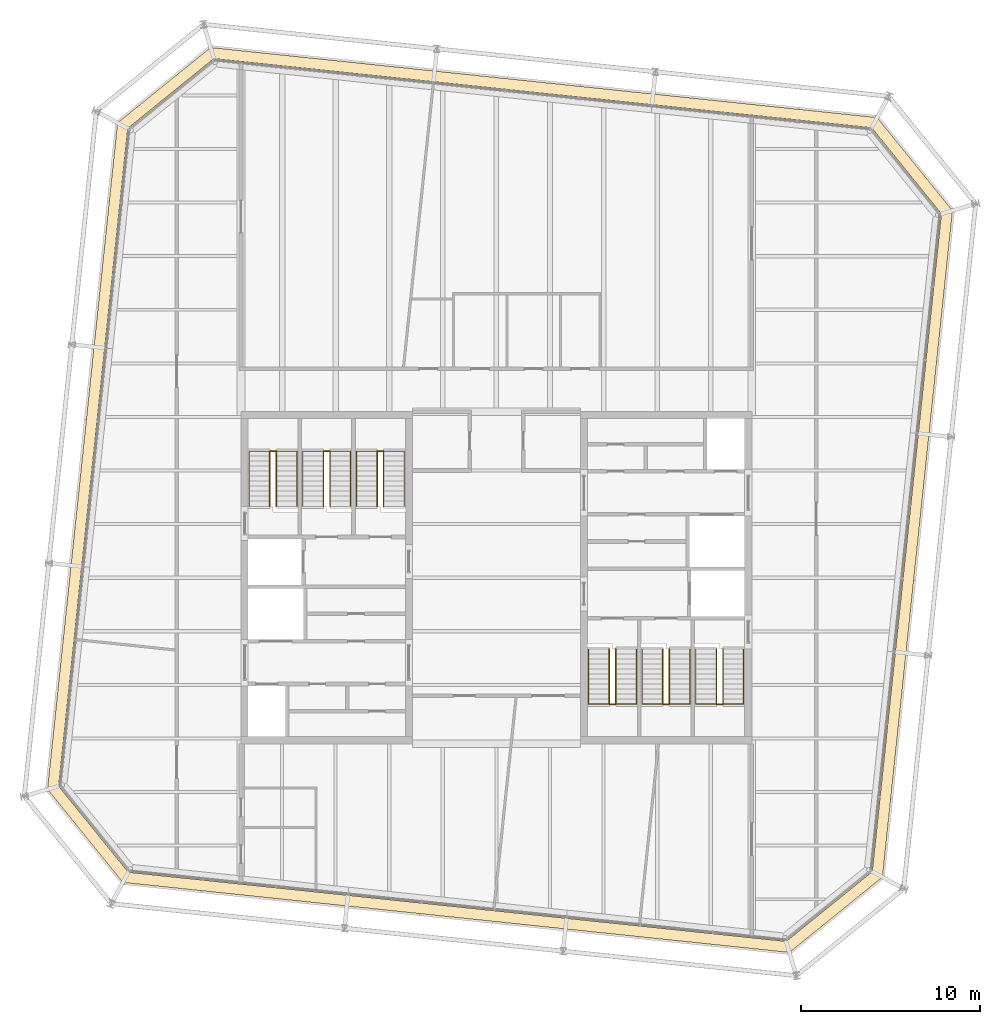
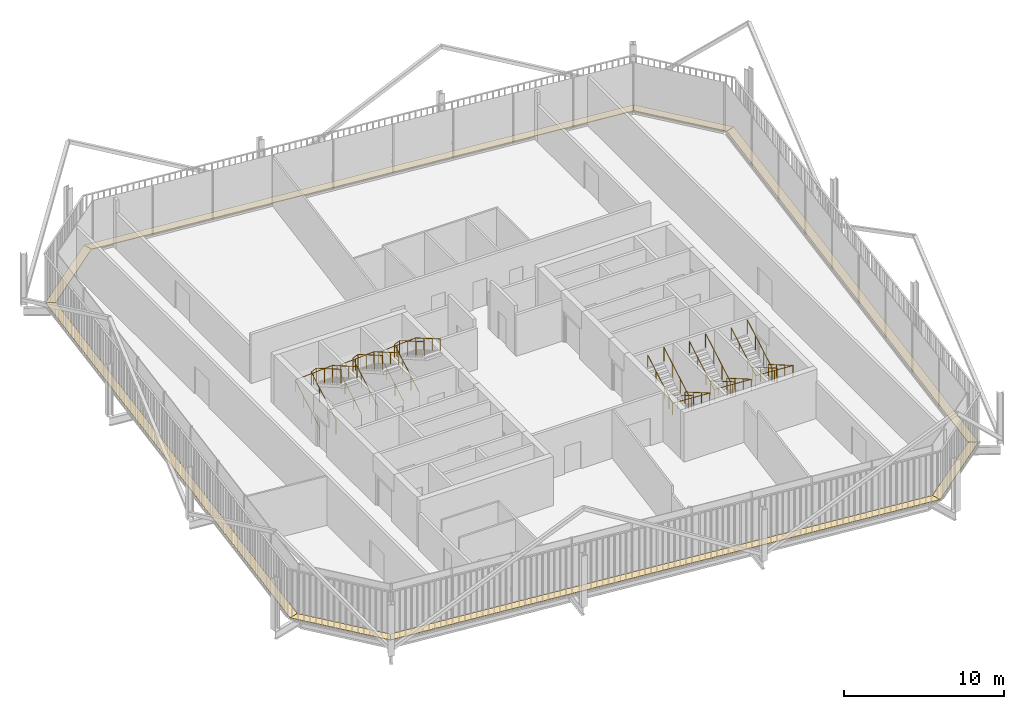
# One storey, part 21 of 21: 12 railings, 8 coverings.
"""IFC4 building model written with IfcOpenShell, lengths in metres."""

from ifc_helpers import new_model, si_unit, direction, frame, origin, origin_2d, place, context, subcontext, project, spatial, polyline, circle, outline, extrude, material, layer, layer_set, type_object, element, save


model = new_model("IFC4")

# Units and contexts
model_context = context("Model", 3, precision=1e-05, world=origin(), true_north=direction((0.0, 1.0)))
body_context = subcontext(model_context, "Body", "Model", "MODEL_VIEW")
ifc_project = project(units=[si_unit("LENGTHUNIT", "METRE"), si_unit("AREAUNIT", "SQUARE_METRE"), si_unit("VOLUMEUNIT", "CUBIC_METRE"), si_unit("PLANEANGLEUNIT", "RADIAN"), si_unit("MASSUNIT", "GRAM", prefix="KILO")], contexts=[model_context])

# Site, building, storey
site_placement = place(None, origin())
site = spatial("IfcSite", under=ifc_project, at=site_placement, CompositionType="ELEMENT")
building_placement = place(site_placement, origin())
building = spatial("IfcBuilding", under=site, at=building_placement, Name="Millrace Tower", CompositionType="ELEMENT")
storey_placement = place(building_placement, frame((0.0, 0.0, 318.699951171875)))
storey = spatial("IfcBuildingStorey", under=building, at=storey_placement, Name="L73", CompositionType="ELEMENT", Elevation=318.699951171875)

# Coverings
ifc_material_1 = material(Name="Steel ASTM A36", Category="steel")
ifc_layer = layer(ifc_material_1, 0.050048828125)
ifc_layer_set = layer_set([ifc_layer], Name="Steel ASTM A36")
covering_type = type_object("IfcCoveringType", Name="CAVITY CATWALK steel grating", PredefinedType="FLOORING", material=ifc_layer_set)
placement = place(storey_placement, frame((0.0, 0.0, 0.10009765625)))
element("IfcCovering", 1, at=placement, inside=storey, type_object=covering_type, Name="Cavity catwalk grating E-F01 L73 1", PredefinedType="FLOORING", context=body_context, shape_type="SweptSolid", body=[
    extrude(outline(polyline([(-25.13232421875, -11.8515625), (-20.914306640625, -17.060302734375), (-20.6044921875, -16.489501953125), (-24.509521484375, -11.6669921875), (-25.13232421875, -11.8515625)])), origin(), (0.0, 0.0, 1.0), 0.050048828125),
])
element("IfcCovering", 2, at=placement, inside=storey, type_object=covering_type, Name="Cavity catwalk grating E-F02 L73 1", PredefinedType="FLOORING", context=body_context, shape_type="SweptSolid", body=[
    extrude(outline(polyline([(-20.914306640625, -17.060302734375), (16.4013671875, -20.982177734375), (16.217041015625, -20.359619140625), (-20.6044921875, -16.489501953125), (-20.914306640625, -17.060302734375)])), origin(), (0.0, 0.0, 1.0), 0.050048828125),
])
element("IfcCovering", 3, at=placement, inside=storey, type_object=covering_type, Name="Cavity catwalk grating E-F03 L73 1", PredefinedType="FLOORING", context=body_context, shape_type="SweptSolid", body=[
    extrude(outline(polyline([(16.4013671875, -20.982177734375), (21.6103515625, -16.764404296875), (21.03955078125, -16.454345703125), (16.217041015625, -20.359619140625), (16.4013671875, -20.982177734375)])), origin(), (0.0, 0.0, 1.0), 0.050048828125),
])
element("IfcCovering", 4, at=placement, inside=storey, type_object=covering_type, Name="Cavity catwalk grating E-F04 L73 1", PredefinedType="FLOORING", context=body_context, shape_type="SweptSolid", body=[
    extrude(outline(polyline([(21.6103515625, -16.764404296875), (25.5322265625, 20.551513671875), (24.90966796875, 20.366943359375), (21.03955078125, -16.454345703125), (21.6103515625, -16.764404296875)])), origin(), (0.0, 0.0, 1.0), 0.050048828125),
])
element("IfcCovering", 5, at=placement, inside=storey, type_object=covering_type, Name="Cavity catwalk grating E-F05 L73 1", PredefinedType="FLOORING", context=body_context, shape_type="SweptSolid", body=[
    extrude(outline(polyline([(25.5322265625, 20.551513671875), (21.314208984375, 25.76025390625), (21.00439453125, 25.189453125), (24.90966796875, 20.366943359375), (25.5322265625, 20.551513671875)])), origin(), (0.0, 0.0, 1.0), 0.050048828125),
])
element("IfcCovering", 6, at=placement, inside=storey, type_object=covering_type, Name="Cavity catwalk grating E-F06 L73 1", PredefinedType="FLOORING", context=body_context, shape_type="SweptSolid", body=[
    extrude(outline(polyline([(21.314208984375, 25.76025390625), (-16.00146484375, 29.682373046875), (-15.817138671875, 29.0595703125), (21.00439453125, 25.189453125), (21.314208984375, 25.76025390625)])), origin(), (0.0, 0.0, 1.0), 0.050048828125),
])
element("IfcCovering", 7, at=placement, inside=storey, type_object=covering_type, Name="Cavity catwalk grating E-F07 L73 1", PredefinedType="FLOORING", context=body_context, shape_type="SweptSolid", body=[
    extrude(outline(polyline([(-16.00146484375, 29.682373046875), (-21.210205078125, 25.46435546875), (-20.639404296875, 25.154541015625), (-15.817138671875, 29.0595703125), (-16.00146484375, 29.682373046875)])), origin(), (0.0, 0.0, 1.0), 0.050048828125),
])
element("IfcCovering", 8, at=placement, inside=storey, type_object=covering_type, Name="Cavity catwalk grating E-F08 L73 1", PredefinedType="FLOORING", context=body_context, shape_type="SweptSolid", body=[
    extrude(outline(polyline([(-21.210205078125, 25.46435546875), (-25.13232421875, -11.8515625), (-24.509521484375, -11.6669921875), (-20.639404296875, 25.154541015625), (-21.210205078125, 25.46435546875)])), origin(), (0.0, 0.0, 1.0), 0.050048828125),
])

# Railings
ifc_material_2 = material(Name="Stainless steel ASTM A240 type 316", Category="steel")
railing_type_1 = type_object("IfcRailingType", Name="Stair guard 1100", PredefinedType="GUARDRAIL", material=ifc_material_2)
for number, where, name in (
    (9, (-12.679931640625, 4.0, 0.16259765625), "Stair guard 1 W L73"),
    (10, (-9.679931640625, 4.0, 0.16259765625), "Stair guard 2 W L73"),
    (11, (-6.679931640625, 4.0, 0.16259765625), "Stair guard 3 W L73"),
):
    element("IfcRailing", number, at=place(storey_placement, frame(where)), inside=storey, type_object=railing_type_1, Name=name, PredefinedType="GUARDRAIL", context=body_context, shape_type="SweptSolid", body=[
        extrude(circle(Radius=0.02392578125, at=origin_2d()), frame((0.0, 0.0, 1.076171875), z_axis=(0.0, 0.864920483161, 0.501908913857), x_axis=(-1.0, 0.0, 0.0)), (0.0, 0.0, 1.0), 3.56103515625),
        extrude(circle(Radius=0.02392578125, at=origin_2d()), frame((0.0, 3.080078125, 2.86328125), z_axis=(0.911295775139, 0.0, 0.411752365158), x_axis=(0.0, 1.0, 0.0)), (0.0, 0.0, 1.0), 0.394775390625),
        extrude(circle(Radius=0.02392578125, at=origin_2d()), frame((0.35986328125, 3.080078125, 3.02587890625), z_axis=(0.0, -0.864890721111, 0.501960198159), x_axis=(1.0, 0.0, 0.0)), (0.0, 0.0, 1.0), 3.561279296875),
        extrude(circle(Radius=0.02099609375, at=origin_2d()), origin(), (0.0, 0.0, 1.0), 1.052001953125),
        extrude(circle(Radius=0.02099609375, at=origin_2d()), frame((0.0, 1.026611328125, 0.595703125)), (0.0, 0.0, 1.0), 1.052001953125),
        extrude(circle(Radius=0.02099609375, at=origin_2d()), frame((0.0, 2.053466796875, 1.191650390625)), (0.0, 0.0, 1.0), 1.052001953125),
        extrude(circle(Radius=0.02099609375, at=origin_2d()), frame((0.0, 3.080078125, 1.787353515625)), (0.0, 0.0, 1.0), 1.052001953125),
        extrude(circle(Radius=0.02099609375, at=origin_2d()), frame((0.35986328125, 3.080078125, 1.949951171875)), (0.0, 0.0, 1.0), 1.052001953125),
        extrude(circle(Radius=0.02099609375, at=origin_2d()), frame((0.35986328125, 2.053466796875, 2.5458984375)), (0.0, 0.0, 1.0), 1.052001953125),
        extrude(circle(Radius=0.02099609375, at=origin_2d()), frame((0.35986328125, 1.026611328125, 3.1416015625)), (0.0, 0.0, 1.0), 1.052001953125),
        extrude(circle(Radius=0.02099609375, at=origin_2d()), frame((0.35986328125, 0.0, 3.737548828125)), (0.0, 0.0, 1.0), 1.052001953125),
    ])
for number, where, name in (
    (12, (12.679931640625, -4.0, 0.16259765625), "Stair guard 1 E L73"),
    (13, (9.679931640625, -4.0, 0.16259765625), "Stair guard 2 E L73"),
    (14, (6.679931640625, -4.0, 0.16259765625), "Stair guard 3 E L73"),
):
    element("IfcRailing", number, at=place(storey_placement, frame(where)), inside=storey, type_object=railing_type_1, Name=name, PredefinedType="GUARDRAIL", context=body_context, shape_type="SweptSolid", body=[
        extrude(circle(Radius=0.02392578125, at=origin_2d()), frame((0.0, 0.0, 1.076171875), z_axis=(0.0, -0.864920483161, 0.501908913857), x_axis=(1.0, 0.0, 0.0)), (0.0, 0.0, 1.0), 3.56103515625),
        extrude(circle(Radius=0.02392578125, at=origin_2d()), frame((0.0, -3.080078125, 2.86328125), z_axis=(-0.911295775139, 0.0, 0.411752365158), x_axis=(0.0, -1.0, 0.0)), (0.0, 0.0, 1.0), 0.394775390625),
        extrude(circle(Radius=0.02392578125, at=origin_2d()), frame((-0.35986328125, -3.080078125, 3.02587890625), z_axis=(0.0, 0.864890721111, 0.501960198159), x_axis=(-1.0, 0.0, 0.0)), (0.0, 0.0, 1.0), 3.561279296875),
        extrude(circle(Radius=0.02099609375, at=origin_2d()), origin(), (0.0, 0.0, 1.0), 1.052001953125),
        extrude(circle(Radius=0.02099609375, at=origin_2d()), frame((0.0, -1.026611328125, 0.595703125)), (0.0, 0.0, 1.0), 1.052001953125),
        extrude(circle(Radius=0.02099609375, at=origin_2d()), frame((0.0, -2.053466796875, 1.191650390625)), (0.0, 0.0, 1.0), 1.052001953125),
        extrude(circle(Radius=0.02099609375, at=origin_2d()), frame((0.0, -3.080078125, 1.787353515625)), (0.0, 0.0, 1.0), 1.052001953125),
        extrude(circle(Radius=0.02099609375, at=origin_2d()), frame((-0.35986328125, -3.080078125, 1.949951171875)), (0.0, 0.0, 1.0), 1.052001953125),
        extrude(circle(Radius=0.02099609375, at=origin_2d()), frame((-0.35986328125, -2.053466796875, 2.5458984375)), (0.0, 0.0, 1.0), 1.052001953125),
        extrude(circle(Radius=0.02099609375, at=origin_2d()), frame((-0.35986328125, -1.026611328125, 3.1416015625)), (0.0, 0.0, 1.0), 1.052001953125),
        extrude(circle(Radius=0.02099609375, at=origin_2d()), frame((-0.35986328125, 0.0, 3.737548828125)), (0.0, 0.0, 1.0), 1.052001953125),
    ])
ifc_material_3 = material(Name="Stainless steel ASTM A240 type 316", Category="steel")
railing_type_2 = type_object("IfcRailingType", Name="Stair handrail 900", PredefinedType="HANDRAIL", material=ifc_material_3)
railing_1_placement = place(storey_placement, frame((-13.840087890625, 4.0, 0.16259765625)))
element("IfcRailing", 15, at=railing_1_placement, inside=storey, type_object=railing_type_2, Name="Stair handrail 1 W L73", PredefinedType="HANDRAIL", context=body_context, shape_type="SweptSolid", body=[
    extrude(circle(Radius=0.02392578125, at=origin_2d()), frame((0.0, 0.0, 0.8759765625), z_axis=(0.0, 0.864920483161, 0.501908913857), x_axis=(-1.0, 0.0, 0.0)), (0.0, 0.0, 1.0), 3.56103515625),
    extrude(circle(Radius=0.02392578125, at=origin_2d()), frame((0.0, 3.080078125, 2.6630859375), z_axis=(0.998164834547, 0.0, 0.060555454528), x_axis=(0.0, 1.0, 0.0)), (0.0, 0.0, 1.0), 2.68505859375),
    extrude(circle(Radius=0.02392578125, at=origin_2d()), frame((2.68017578125, 3.080078125, 2.82568359375), z_axis=(0.0, -0.864890721111, 0.501960198159), x_axis=(1.0, 0.0, 0.0)), (0.0, 0.0, 1.0), 3.561279296875),
    extrude(circle(Radius=0.02099609375, at=origin_2d()), origin(), (0.0, 0.0, 1.0), 0.851806640625),
    extrude(circle(Radius=0.02099609375, at=origin_2d()), frame((0.0, 1.026611328125, 0.595703125)), (0.0, 0.0, 1.0), 0.851806640625),
    extrude(circle(Radius=0.02099609375, at=origin_2d()), frame((0.0, 2.053466796875, 1.191650390625)), (0.0, 0.0, 1.0), 0.851806640625),
    extrude(circle(Radius=0.02099609375, at=origin_2d()), frame((0.0, 3.080078125, 1.787353515625)), (0.0, 0.0, 1.0), 0.851806640625),
    extrude(circle(Radius=0.02099609375, at=origin_2d()), frame((1.340087890625, 3.080078125, 1.86865234375)), (0.0, 0.0, 1.0), 0.851806640625),
    extrude(circle(Radius=0.02099609375, at=origin_2d()), frame((2.68017578125, 3.080078125, 1.949951171875)), (0.0, 0.0, 1.0), 0.851806640625),
    extrude(circle(Radius=0.02099609375, at=origin_2d()), frame((2.68017578125, 2.053466796875, 2.5458984375)), (0.0, 0.0, 1.0), 0.851806640625),
    extrude(circle(Radius=0.02099609375, at=origin_2d()), frame((2.68017578125, 1.026611328125, 3.1416015625)), (0.0, 0.0, 1.0), 0.851806640625),
    extrude(circle(Radius=0.02099609375, at=origin_2d()), frame((2.68017578125, 0.0, 3.737548828125)), (0.0, 0.0, 1.0), 0.851806640625),
])
railing_2_placement = place(storey_placement, frame((-10.840087890625, 4.0, 0.16259765625)))
element("IfcRailing", 16, at=railing_2_placement, inside=storey, type_object=railing_type_2, Name="Stair handrail 2 W L73", PredefinedType="HANDRAIL", context=body_context, shape_type="SweptSolid", body=[
    extrude(circle(Radius=0.02392578125, at=origin_2d()), frame((0.0, 0.0, 0.8759765625), z_axis=(0.0, 0.864920483161, 0.501908913857), x_axis=(-1.0, 0.0, 0.0)), (0.0, 0.0, 1.0), 3.56103515625),
    extrude(circle(Radius=0.02392578125, at=origin_2d()), frame((0.0, 3.080078125, 2.6630859375), z_axis=(0.998164834547, 0.0, 0.060555454528), x_axis=(0.0, 1.0, 0.0)), (0.0, 0.0, 1.0), 2.68505859375),
    extrude(circle(Radius=0.02392578125, at=origin_2d()), frame((2.68017578125, 3.080078125, 2.82568359375), z_axis=(0.0, -0.864890721111, 0.501960198159), x_axis=(1.0, 0.0, 0.0)), (0.0, 0.0, 1.0), 3.561279296875),
    extrude(circle(Radius=0.02099609375, at=origin_2d()), origin(), (0.0, 0.0, 1.0), 0.851806640625),
    extrude(circle(Radius=0.02099609375, at=origin_2d()), frame((0.0, 1.026611328125, 0.595703125)), (0.0, 0.0, 1.0), 0.851806640625),
    extrude(circle(Radius=0.02099609375, at=origin_2d()), frame((0.0, 2.053466796875, 1.191650390625)), (0.0, 0.0, 1.0), 0.851806640625),
    extrude(circle(Radius=0.02099609375, at=origin_2d()), frame((0.0, 3.080078125, 1.787353515625)), (0.0, 0.0, 1.0), 0.851806640625),
    extrude(circle(Radius=0.02099609375, at=origin_2d()), frame((1.340087890625, 3.080078125, 1.86865234375)), (0.0, 0.0, 1.0), 0.851806640625),
    extrude(circle(Radius=0.02099609375, at=origin_2d()), frame((2.68017578125, 3.080078125, 1.949951171875)), (0.0, 0.0, 1.0), 0.851806640625),
    extrude(circle(Radius=0.02099609375, at=origin_2d()), frame((2.68017578125, 2.053466796875, 2.5458984375)), (0.0, 0.0, 1.0), 0.851806640625),
    extrude(circle(Radius=0.02099609375, at=origin_2d()), frame((2.68017578125, 1.026611328125, 3.1416015625)), (0.0, 0.0, 1.0), 0.851806640625),
    extrude(circle(Radius=0.02099609375, at=origin_2d()), frame((2.68017578125, 0.0, 3.737548828125)), (0.0, 0.0, 1.0), 0.851806640625),
])
railing_3_placement = place(storey_placement, frame((-7.840087890625, 4.0, 0.16259765625)))
element("IfcRailing", 17, at=railing_3_placement, inside=storey, type_object=railing_type_2, Name="Stair handrail 3 W L73", PredefinedType="HANDRAIL", context=body_context, shape_type="SweptSolid", body=[
    extrude(circle(Radius=0.02392578125, at=origin_2d()), frame((0.0, 0.0, 0.8759765625), z_axis=(0.0, 0.864920483161, 0.501908913857), x_axis=(-1.0, 0.0, 0.0)), (0.0, 0.0, 1.0), 3.56103515625),
    extrude(circle(Radius=0.02392578125, at=origin_2d()), frame((0.0, 3.080078125, 2.6630859375), z_axis=(0.998164834547, 0.0, 0.060555454528), x_axis=(0.0, 1.0, 0.0)), (0.0, 0.0, 1.0), 2.68505859375),
    extrude(circle(Radius=0.02392578125, at=origin_2d()), frame((2.68017578125, 3.080078125, 2.82568359375), z_axis=(0.0, -0.864890721111, 0.501960198159), x_axis=(1.0, 0.0, 0.0)), (0.0, 0.0, 1.0), 3.561279296875),
    extrude(circle(Radius=0.02099609375, at=origin_2d()), origin(), (0.0, 0.0, 1.0), 0.851806640625),
    extrude(circle(Radius=0.02099609375, at=origin_2d()), frame((0.0, 1.026611328125, 0.595703125)), (0.0, 0.0, 1.0), 0.851806640625),
    extrude(circle(Radius=0.02099609375, at=origin_2d()), frame((0.0, 2.053466796875, 1.191650390625)), (0.0, 0.0, 1.0), 0.851806640625),
    extrude(circle(Radius=0.02099609375, at=origin_2d()), frame((0.0, 3.080078125, 1.787353515625)), (0.0, 0.0, 1.0), 0.851806640625),
    extrude(circle(Radius=0.02099609375, at=origin_2d()), frame((1.340087890625, 3.080078125, 1.86865234375)), (0.0, 0.0, 1.0), 0.851806640625),
    extrude(circle(Radius=0.02099609375, at=origin_2d()), frame((2.68017578125, 3.080078125, 1.949951171875)), (0.0, 0.0, 1.0), 0.851806640625),
    extrude(circle(Radius=0.02099609375, at=origin_2d()), frame((2.68017578125, 2.053466796875, 2.5458984375)), (0.0, 0.0, 1.0), 0.851806640625),
    extrude(circle(Radius=0.02099609375, at=origin_2d()), frame((2.68017578125, 1.026611328125, 3.1416015625)), (0.0, 0.0, 1.0), 0.851806640625),
    extrude(circle(Radius=0.02099609375, at=origin_2d()), frame((2.68017578125, 0.0, 3.737548828125)), (0.0, 0.0, 1.0), 0.851806640625),
])
railing_4_placement = place(storey_placement, frame((13.840087890625, -4.0, 0.16259765625)))
element("IfcRailing", 18, at=railing_4_placement, inside=storey, type_object=railing_type_2, Name="Stair handrail 1 E L73", PredefinedType="HANDRAIL", context=body_context, shape_type="SweptSolid", body=[
    extrude(circle(Radius=0.02392578125, at=origin_2d()), frame((0.0, 0.0, 0.8759765625), z_axis=(0.0, -0.864920483161, 0.501908913857), x_axis=(1.0, 0.0, 0.0)), (0.0, 0.0, 1.0), 3.56103515625),
    extrude(circle(Radius=0.02392578125, at=origin_2d()), frame((0.0, -3.080078125, 2.6630859375), z_axis=(-0.998164834547, 0.0, 0.060555454528), x_axis=(0.0, -1.0, 0.0)), (0.0, 0.0, 1.0), 2.68505859375),
    extrude(circle(Radius=0.02392578125, at=origin_2d()), frame((-2.68017578125, -3.080078125, 2.82568359375), z_axis=(0.0, 0.864890721111, 0.501960198159), x_axis=(-1.0, 0.0, 0.0)), (0.0, 0.0, 1.0), 3.561279296875),
    extrude(circle(Radius=0.02099609375, at=origin_2d()), origin(), (0.0, 0.0, 1.0), 0.851806640625),
    extrude(circle(Radius=0.02099609375, at=origin_2d()), frame((0.0, -1.026611328125, 0.595703125)), (0.0, 0.0, 1.0), 0.851806640625),
    extrude(circle(Radius=0.02099609375, at=origin_2d()), frame((0.0, -2.053466796875, 1.191650390625)), (0.0, 0.0, 1.0), 0.851806640625),
    extrude(circle(Radius=0.02099609375, at=origin_2d()), frame((0.0, -3.080078125, 1.787353515625)), (0.0, 0.0, 1.0), 0.851806640625),
    extrude(circle(Radius=0.02099609375, at=origin_2d()), frame((-1.340087890625, -3.080078125, 1.86865234375)), (0.0, 0.0, 1.0), 0.851806640625),
    extrude(circle(Radius=0.02099609375, at=origin_2d()), frame((-2.68017578125, -3.080078125, 1.949951171875)), (0.0, 0.0, 1.0), 0.851806640625),
    extrude(circle(Radius=0.02099609375, at=origin_2d()), frame((-2.68017578125, -2.053466796875, 2.5458984375)), (0.0, 0.0, 1.0), 0.851806640625),
    extrude(circle(Radius=0.02099609375, at=origin_2d()), frame((-2.68017578125, -1.026611328125, 3.1416015625)), (0.0, 0.0, 1.0), 0.851806640625),
    extrude(circle(Radius=0.02099609375, at=origin_2d()), frame((-2.68017578125, 0.0, 3.737548828125)), (0.0, 0.0, 1.0), 0.851806640625),
])
railing_5_placement = place(storey_placement, frame((10.840087890625, -4.0, 0.16259765625)))
element("IfcRailing", 19, at=railing_5_placement, inside=storey, type_object=railing_type_2, Name="Stair handrail 2 E L73", PredefinedType="HANDRAIL", context=body_context, shape_type="SweptSolid", body=[
    extrude(circle(Radius=0.02392578125, at=origin_2d()), frame((0.0, 0.0, 0.8759765625), z_axis=(0.0, -0.864920483161, 0.501908913857), x_axis=(1.0, 0.0, 0.0)), (0.0, 0.0, 1.0), 3.56103515625),
    extrude(circle(Radius=0.02392578125, at=origin_2d()), frame((0.0, -3.080078125, 2.6630859375), z_axis=(-0.998164834547, 0.0, 0.060555454528), x_axis=(0.0, -1.0, 0.0)), (0.0, 0.0, 1.0), 2.68505859375),
    extrude(circle(Radius=0.02392578125, at=origin_2d()), frame((-2.68017578125, -3.080078125, 2.82568359375), z_axis=(0.0, 0.864890721111, 0.501960198159), x_axis=(-1.0, 0.0, 0.0)), (0.0, 0.0, 1.0), 3.561279296875),
    extrude(circle(Radius=0.02099609375, at=origin_2d()), origin(), (0.0, 0.0, 1.0), 0.851806640625),
    extrude(circle(Radius=0.02099609375, at=origin_2d()), frame((0.0, -1.026611328125, 0.595703125)), (0.0, 0.0, 1.0), 0.851806640625),
    extrude(circle(Radius=0.02099609375, at=origin_2d()), frame((0.0, -2.053466796875, 1.191650390625)), (0.0, 0.0, 1.0), 0.851806640625),
    extrude(circle(Radius=0.02099609375, at=origin_2d()), frame((0.0, -3.080078125, 1.787353515625)), (0.0, 0.0, 1.0), 0.851806640625),
    extrude(circle(Radius=0.02099609375, at=origin_2d()), frame((-1.340087890625, -3.080078125, 1.86865234375)), (0.0, 0.0, 1.0), 0.851806640625),
    extrude(circle(Radius=0.02099609375, at=origin_2d()), frame((-2.68017578125, -3.080078125, 1.949951171875)), (0.0, 0.0, 1.0), 0.851806640625),
    extrude(circle(Radius=0.02099609375, at=origin_2d()), frame((-2.68017578125, -2.053466796875, 2.5458984375)), (0.0, 0.0, 1.0), 0.851806640625),
    extrude(circle(Radius=0.02099609375, at=origin_2d()), frame((-2.68017578125, -1.026611328125, 3.1416015625)), (0.0, 0.0, 1.0), 0.851806640625),
    extrude(circle(Radius=0.02099609375, at=origin_2d()), frame((-2.68017578125, 0.0, 3.737548828125)), (0.0, 0.0, 1.0), 0.851806640625),
])
railing_6_placement = place(storey_placement, frame((7.840087890625, -4.0, 0.16259765625)))
element("IfcRailing", 20, at=railing_6_placement, inside=storey, type_object=railing_type_2, Name="Stair handrail 3 E L73", PredefinedType="HANDRAIL", context=body_context, shape_type="SweptSolid", body=[
    extrude(circle(Radius=0.02392578125, at=origin_2d()), frame((0.0, 0.0, 0.8759765625), z_axis=(0.0, -0.864920483161, 0.501908913857), x_axis=(1.0, 0.0, 0.0)), (0.0, 0.0, 1.0), 3.56103515625),
    extrude(circle(Radius=0.02392578125, at=origin_2d()), frame((0.0, -3.080078125, 2.6630859375), z_axis=(-0.998164834547, 0.0, 0.060555454528), x_axis=(0.0, -1.0, 0.0)), (0.0, 0.0, 1.0), 2.68505859375),
    extrude(circle(Radius=0.02392578125, at=origin_2d()), frame((-2.68017578125, -3.080078125, 2.82568359375), z_axis=(0.0, 0.864890721111, 0.501960198159), x_axis=(-1.0, 0.0, 0.0)), (0.0, 0.0, 1.0), 3.561279296875),
    extrude(circle(Radius=0.02099609375, at=origin_2d()), origin(), (0.0, 0.0, 1.0), 0.851806640625),
    extrude(circle(Radius=0.02099609375, at=origin_2d()), frame((0.0, -1.026611328125, 0.595703125)), (0.0, 0.0, 1.0), 0.851806640625),
    extrude(circle(Radius=0.02099609375, at=origin_2d()), frame((0.0, -2.053466796875, 1.191650390625)), (0.0, 0.0, 1.0), 0.851806640625),
    extrude(circle(Radius=0.02099609375, at=origin_2d()), frame((0.0, -3.080078125, 1.787353515625)), (0.0, 0.0, 1.0), 0.851806640625),
    extrude(circle(Radius=0.02099609375, at=origin_2d()), frame((-1.340087890625, -3.080078125, 1.86865234375)), (0.0, 0.0, 1.0), 0.851806640625),
    extrude(circle(Radius=0.02099609375, at=origin_2d()), frame((-2.68017578125, -3.080078125, 1.949951171875)), (0.0, 0.0, 1.0), 0.851806640625),
    extrude(circle(Radius=0.02099609375, at=origin_2d()), frame((-2.68017578125, -2.053466796875, 2.5458984375)), (0.0, 0.0, 1.0), 0.851806640625),
    extrude(circle(Radius=0.02099609375, at=origin_2d()), frame((-2.68017578125, -1.026611328125, 3.1416015625)), (0.0, 0.0, 1.0), 0.851806640625),
    extrude(circle(Radius=0.02099609375, at=origin_2d()), frame((-2.68017578125, 0.0, 3.737548828125)), (0.0, 0.0, 1.0), 0.851806640625),
])

save(model, "model.ifc")
